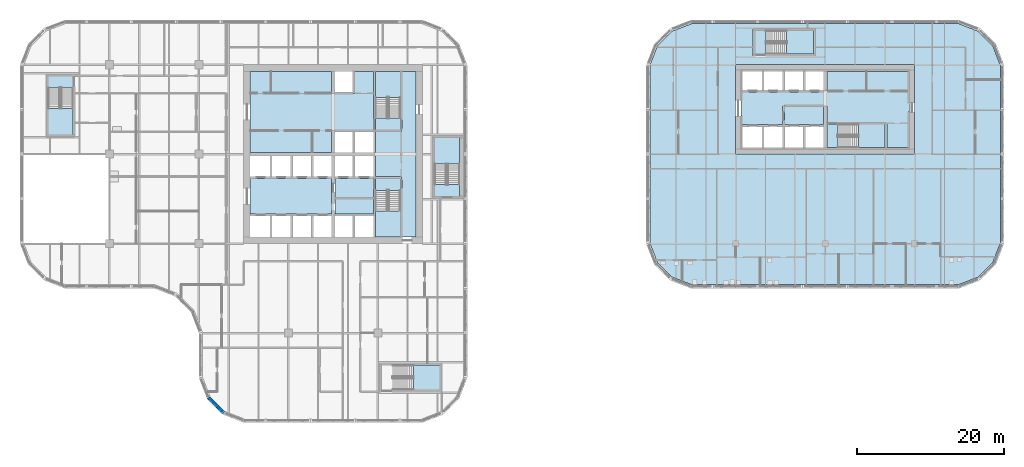
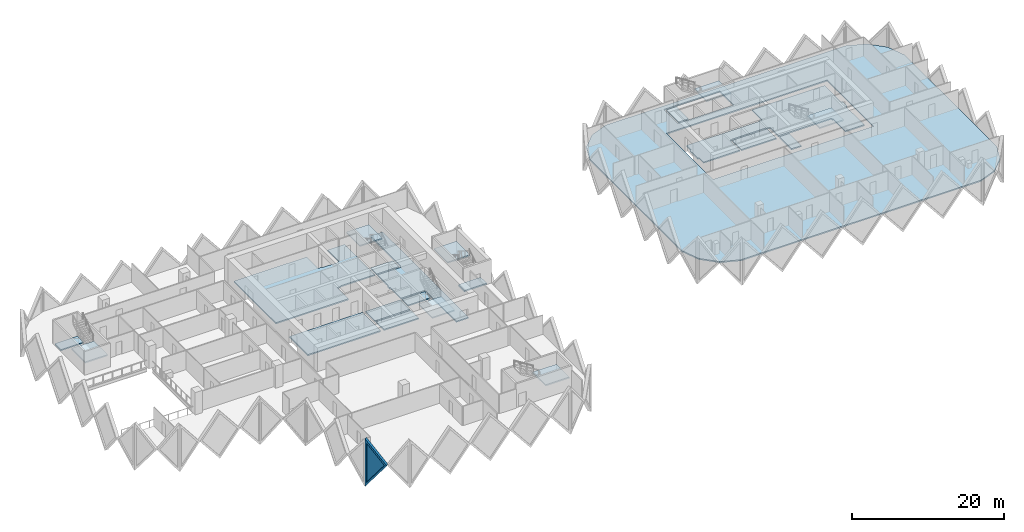
# One storey, part 3 of 20: 21 slabs, 1 plate, 1 wall, 1 opening, 7 elements without a shape of their own.
"""IFC4 building model written with IfcOpenShell, lengths in metres."""

from ifc_helpers import new_model, si_unit, direction, frame, origin, place, context, subcontext, project, spatial, polyline, outline, extrude, faceted_brep, source, transform, mapped, material, layer, layer_set, type_object, element, fill, aggregate, save


model = new_model("IFC4")

# Units and contexts
model_context = context("Model", 3, precision=1e-05, world=origin(), true_north=direction((0.0, 1.0)))
body_context = subcontext(model_context, "Body", "Model", "MODEL_VIEW")
ifc_project = project(units=[si_unit("LENGTHUNIT", "METRE"), si_unit("AREAUNIT", "SQUARE_METRE"), si_unit("VOLUMEUNIT", "CUBIC_METRE"), si_unit("PLANEANGLEUNIT", "RADIAN"), si_unit("MASSUNIT", "GRAM", prefix="KILO")], contexts=[model_context])

# Site, building, storey
site_placement = place(None, origin())
site = spatial("IfcSite", under=ifc_project, at=site_placement, CompositionType="ELEMENT")
building_placement = place(site_placement, origin())
building = spatial("IfcBuilding", under=site, at=building_placement, Name="Tessera Gate Towers", CompositionType="ELEMENT")
storey_placement = place(building_placement, frame((0.0, 0.0, 48.60009765625)))
storey = spatial("IfcBuildingStorey", under=building, at=storey_placement, Name="L11", CompositionType="ELEMENT", Elevation=48.60009765625)

# Slabs
ifc_material_1 = material(Name="Concrete C35/45", Category="concrete")
ifc_layer_1 = layer(ifc_material_1, 0.199951171875)
ifc_layer_set_1 = layer_set([ifc_layer_1], Name="COMPOSITE FLOOR 200")
slab_type_1 = type_object("IfcSlabType", Name="COMPOSITE FLOOR 200", PredefinedType="FLOOR", material=ifc_layer_set_1)
slab_1_placement = place(storey_placement, frame((0.0, 0.0, -0.2001953125)))
element("IfcSlab", 1, at=slab_1_placement, inside=storey, type_object=slab_type_1, Name="T2-L11", PredefinedType="FLOOR", context=body_context, shape_type="SweptSolid", body=[
    extrude(outline(polyline([(85.89990234375, 24.4931640625), (86.926025390625, 21.8330078125), (88.93310546875, 19.826171875), (91.593017578125, 18.800048828125), (128.0068359375, 18.800048828125), (130.6669921875, 19.826171875), (132.673828125, 21.8330078125), (133.699951171875, 24.4931640625), (133.699951171875, 48.706787109375), (132.673828125, 51.366943359375), (130.6669921875, 53.373779296875), (128.0068359375, 54.39990234375), (91.593017578125, 54.39990234375), (88.93310546875, 53.373779296875), (86.926025390625, 51.366943359375), (85.89990234375, 48.706787109375), (85.89990234375, 24.4931640625)]), holes=[polyline([(97.60009765625, 36.60009765625), (97.60009765625, 48.800048828125), (122.0, 48.800048828125), (122.0, 36.60009765625), (97.60009765625, 36.60009765625)]), polyline([(100.0, 50.0), (100.0, 53.699951171875), (108.5, 53.699951171875), (108.5, 50.0), (100.0, 50.0)])]), origin(), (0.0, 0.0, 1.0), 0.2001953125),
])
ifc_material_2 = material(Name="Concrete C35/45", Category="concrete")
ifc_layer_2 = layer(ifc_material_2, 0.199951171875)
ifc_layer_set_2 = layer_set([ifc_layer_2], Name="CORE FLOOR SLAB 200")
slab_type_2 = type_object("IfcSlabType", Name="CORE FLOOR SLAB 200", PredefinedType="FLOOR", material=ifc_layer_set_2)
slab_2_placement = place(storey_placement, frame((0.0, 0.0, -0.2001953125)))
element("IfcSlab", 2, at=slab_2_placement, inside=storey, type_object=slab_type_2, Name="L11 core floor slab", PredefinedType="FLOOR", context=body_context, shape_type="SweptSolid", body=[
    extrude(outline(polyline([(31.39990234375, 47.89990234375), (31.39990234375, 36.85009765625), (42.449951171875, 36.85009765625), (42.449951171875, 39.800048828125), (42.949951171875, 39.800048828125), (42.949951171875, 39.925048828125), (48.22509765625, 39.925048828125), (48.22509765625, 47.89990234375), (45.64990234375, 47.89990234375), (45.64990234375, 44.89990234375), (45.39990234375, 44.89990234375), (45.39990234375, 44.77490234375), (42.949951171875, 44.77490234375), (42.949951171875, 44.89990234375), (42.449951171875, 44.89990234375), (42.449951171875, 47.89990234375), (31.39990234375, 47.89990234375)])), origin(), (0.0, 0.0, 1.0), 0.2001953125),
])
slab_3_placement = place(storey_placement, frame((0.0, 0.0, -0.2001953125)))
element("IfcSlab", 3, at=slab_3_placement, inside=storey, type_object=slab_type_2, Name="L11 core floor slab", PredefinedType="FLOOR", context=body_context, shape_type="SweptSolid", body=[
    extrude(outline(polyline([(48.35009765625, 36.85009765625), (48.35009765625, 36.35009765625), (48.47509765625, 36.35009765625), (48.47509765625, 33.52490234375), (52.0, 33.52490234375), (52.0, 33.27490234375), (52.125, 33.27490234375), (52.125, 25.300048828125), (54.0, 25.300048828125), (54.0, 47.89990234375), (52.125, 47.89990234375), (52.125, 39.925048828125), (52.0, 39.925048828125), (52.0, 39.675048828125), (48.47509765625, 39.675048828125), (48.47509765625, 36.85009765625), (48.35009765625, 36.85009765625)])), origin(), (0.0, 0.0, 1.0), 0.2001953125),
])
slab_4_placement = place(storey_placement, frame((0.0, 0.0, -0.2001953125)))
element("IfcSlab", 4, at=slab_4_placement, inside=storey, type_object=slab_type_2, Name="L11 core floor slab", PredefinedType="FLOOR", context=body_context, shape_type="SweptSolid", body=[
    extrude(outline(polyline([(42.449951171875, 28.425048828125), (42.449951171875, 33.27490234375), (31.39990234375, 33.27490234375), (31.39990234375, 28.425048828125), (42.449951171875, 28.425048828125)])), origin(), (0.0, 0.0, 1.0), 0.2001953125),
])
slab_5_placement = place(storey_placement, frame((0.0, 0.0, -0.2001953125)))
element("IfcSlab", 5, at=slab_5_placement, inside=storey, type_object=slab_type_2, Name="L11 core floor slab", PredefinedType="FLOOR", context=body_context, shape_type="SweptSolid", body=[
    extrude(outline(polyline([(42.949951171875, 33.27490234375), (42.949951171875, 30.72509765625), (48.22509765625, 30.72509765625), (48.22509765625, 33.27490234375), (42.949951171875, 33.27490234375)])), origin(), (0.0, 0.0, 1.0), 0.2001953125),
])
slab_6_placement = place(storey_placement, frame((0.0, 0.0, -0.2001953125)))
element("IfcSlab", 6, at=slab_6_placement, inside=storey, type_object=slab_type_2, Name="L11 core floor slab", PredefinedType="FLOOR", context=body_context, shape_type="SweptSolid", body=[
    extrude(outline(polyline([(42.949951171875, 30.47509765625), (42.949951171875, 28.425048828125), (48.22509765625, 28.425048828125), (48.22509765625, 30.47509765625), (42.949951171875, 30.47509765625)])), origin(), (0.0, 0.0, 1.0), 0.2001953125),
])
slab_7_placement = place(storey_placement, frame((0.0, 0.0, -0.2001953125)))
element("IfcSlab", 7, at=slab_7_placement, inside=storey, type_object=slab_type_2, Name="L11 core floor slab", PredefinedType="FLOOR", context=body_context, shape_type="SweptSolid", body=[
    extrude(outline(polyline([(51.875, 31.675048828125), (51.875, 33.27490234375), (48.47509765625, 33.27490234375), (48.47509765625, 31.675048828125), (51.875, 31.675048828125)])), origin(), (0.0, 0.0, 1.0), 0.2001953125),
])
slab_8_placement = place(storey_placement, frame((0.0, 0.0, -0.2001953125)))
element("IfcSlab", 8, at=slab_8_placement, inside=storey, type_object=slab_type_2, Name="L11 core floor slab", PredefinedType="FLOOR", context=body_context, shape_type="SweptSolid", body=[
    extrude(outline(polyline([(48.47509765625, 41.52490234375), (48.47509765625, 39.925048828125), (51.875, 39.925048828125), (51.875, 41.52490234375), (48.47509765625, 41.52490234375)])), origin(), (0.0, 0.0, 1.0), 0.2001953125),
])
slab_9_placement = place(storey_placement, frame((0.0, 0.0, -0.2001953125)))
element("IfcSlab", 9, at=slab_9_placement, inside=storey, type_object=slab_type_2, Name="L11 ST3 floor landing", PredefinedType="FLOOR", context=body_context, shape_type="SweptSolid", body=[
    extrude(outline(polyline([(3.85009765625, 47.25), (3.85009765625, 45.64990234375), (7.25, 45.64990234375), (7.25, 47.25), (3.85009765625, 47.25)])), origin(), (0.0, 0.0, 1.0), 0.2001953125),
])
slab_10_placement = place(storey_placement, frame((0.0, 0.0, -0.2001953125)))
element("IfcSlab", 10, at=slab_10_placement, inside=storey, type_object=slab_type_2, Name="L11 ST5 floor landing", PredefinedType="FLOOR", context=body_context, shape_type="SweptSolid", body=[
    extrude(outline(polyline([(59.949951171875, 30.85009765625), (59.949951171875, 32.449951171875), (56.550048828125, 32.449951171875), (56.550048828125, 30.85009765625), (59.949951171875, 30.85009765625)])), origin(), (0.0, 0.0, 1.0), 0.2001953125),
])
slab_11_placement = place(storey_placement, frame((0.0, 0.0, -0.2001953125)))
element("IfcSlab", 11, at=slab_11_placement, inside=storey, type_object=slab_type_2, Name="L11 core floor slab", PredefinedType="FLOOR", context=body_context, shape_type="SweptSolid", body=[
    extrude(outline(polyline([(109.550048828125, 45.199951171875), (109.550048828125, 45.074951171875), (98.5, 45.074951171875), (98.5, 43.89990234375), (98.300048828125, 43.89990234375), (98.300048828125, 41.800048828125), (98.5, 41.800048828125), (98.5, 40.625), (104.02490234375, 40.625), (104.02490234375, 43.199951171875), (104.27490234375, 43.199951171875), (104.27490234375, 43.324951171875), (109.550048828125, 43.324951171875), (109.550048828125, 43.199951171875), (110.050048828125, 43.199951171875), (110.050048828125, 40.949951171875), (118.10009765625, 40.949951171875), (118.10009765625, 40.699951171875), (118.22509765625, 40.699951171875), (118.22509765625, 37.5), (121.10009765625, 37.5), (121.10009765625, 42.35009765625), (121.300048828125, 42.35009765625), (121.300048828125, 43.550048828125), (121.10009765625, 43.550048828125), (121.10009765625, 47.89990234375), (110.050048828125, 47.89990234375), (110.050048828125, 45.199951171875), (109.550048828125, 45.199951171875)])), origin(), (0.0, 0.0, 1.0), 0.2001953125),
])
slab_12_placement = place(storey_placement, frame((0.0, 0.0, -0.2001953125)))
element("IfcSlab", 12, at=slab_12_placement, inside=storey, type_object=slab_type_2, Name="L11 core floor slab", PredefinedType="FLOOR", context=body_context, shape_type="SweptSolid", body=[
    extrude(outline(polyline([(109.550048828125, 43.074951171875), (104.27490234375, 43.074951171875), (104.27490234375, 40.625), (109.550048828125, 40.625), (109.550048828125, 43.074951171875)])), origin(), (0.0, 0.0, 1.0), 0.2001953125),
])
slab_13_placement = place(storey_placement, frame((0.0, 0.0, -0.2001953125)))
element("IfcSlab", 13, at=slab_13_placement, inside=storey, type_object=slab_type_2, Name="L11 core floor slab", PredefinedType="FLOOR", context=body_context, shape_type="SweptSolid", body=[
    extrude(outline(polyline([(111.550048828125, 37.5), (111.550048828125, 40.699951171875), (110.050048828125, 40.699951171875), (110.050048828125, 37.5), (111.550048828125, 37.5)])), origin(), (0.0, 0.0, 1.0), 0.2001953125),
])
slab_14_placement = place(storey_placement, frame((0.0, 0.0, -0.2001953125)))
element("IfcSlab", 14, at=slab_14_placement, inside=storey, type_object=slab_type_2, Name="L11 ST7 floor landing", PredefinedType="FLOOR", context=body_context, shape_type="SweptSolid", body=[
    extrude(outline(polyline([(100.25, 50.25), (101.75, 50.25), (101.75, 53.449951171875), (100.25, 53.449951171875), (100.25, 50.25)])), origin(), (0.0, 0.0, 1.0), 0.2001953125),
])

# Stair, slab
ifc_material_3 = material(Name="Concrete C40/50", Category="concrete")
stair_type_1 = type_object("IfcStairType", Name="EXIT STAIR ST1 1600", PredefinedType="HALF_TURN_STAIR", material=ifc_material_3)
stair_1_placement = place(storey_placement, origin())
stair_1 = element("IfcStair", 15, at=stair_1_placement, inside=storey, type_object=stair_type_1, Name="L11 Protected Exit Stair ST1", PredefinedType="HALF_TURN_STAIR")
ifc_material_4 = material(Name="Concrete C40/50", Category="concrete")
ifc_layer_3 = layer(ifc_material_4, 0.199951171875)
ifc_layer_set_3 = layer_set([ifc_layer_3], Name="EXIT STAIR LANDING 200")
slab_type_3 = type_object("IfcSlabType", Name="EXIT STAIR LANDING 200", PredefinedType="LANDING", material=ifc_layer_set_3)
slab_15_placement = place(storey_placement, frame((0.0, 0.0, 1.699951171875)))
slab_15 = element("IfcSlab", 16, at=slab_15_placement, type_object=slab_type_3, Name="ST1 landing 1", PredefinedType="LANDING", context=body_context, shape_type="SweptSolid", body=[
    extrude(outline(polyline([(48.47509765625, 28.875), (48.47509765625, 25.300048828125), (51.875, 25.300048828125), (51.875, 28.875), (48.47509765625, 28.875)])), origin(), (0.0, 0.0, 1.0), 0.199951171875),
])
aggregate(stair_1, [slab_15])

ifc_material_5 = material(Name="Concrete C40/50", Category="concrete")
stair_type_2 = type_object("IfcStairType", Name="EXIT STAIR ST2 1600", PredefinedType="HALF_TURN_STAIR", material=ifc_material_5)
stair_2_placement = place(storey_placement, origin())
stair_2 = element("IfcStair", 17, at=stair_2_placement, inside=storey, type_object=stair_type_2, Name="L11 Protected Exit Stair ST2", PredefinedType="HALF_TURN_STAIR")
slab_16_placement = place(storey_placement, frame((0.0, 0.0, 1.699951171875)))
slab_16 = element("IfcSlab", 18, at=slab_16_placement, type_object=slab_type_3, Name="ST2 landing 1", PredefinedType="LANDING", context=body_context, shape_type="SweptSolid", body=[
    extrude(outline(polyline([(51.875, 44.324951171875), (51.875, 47.89990234375), (48.47509765625, 47.89990234375), (48.47509765625, 44.324951171875), (51.875, 44.324951171875)])), origin(), (0.0, 0.0, 1.0), 0.199951171875),
])
aggregate(stair_2, [slab_16])

ifc_material_6 = material(Name="Concrete C40/50", Category="concrete")
stair_type_3 = type_object("IfcStairType", Name="EXIT STAIR ST3 1600", PredefinedType="HALF_TURN_STAIR", material=ifc_material_6)
stair_3_placement = place(storey_placement, origin())
stair_3 = element("IfcStair", 19, at=stair_3_placement, inside=storey, type_object=stair_type_3, Name="L11 West Exit Stair ST3", PredefinedType="HALF_TURN_STAIR")
slab_17_placement = place(storey_placement, frame((0.0, 0.0, 1.699951171875)))
slab_17 = element("IfcSlab", 20, at=slab_17_placement, type_object=slab_type_3, Name="ST3 landing 1", PredefinedType="LANDING", context=body_context, shape_type="SweptSolid", body=[
    extrude(outline(polyline([(3.85009765625, 42.85009765625), (3.85009765625, 39.25), (7.25, 39.25), (7.25, 42.85009765625), (3.85009765625, 42.85009765625)])), origin(), (0.0, 0.0, 1.0), 0.199951171875),
])
aggregate(stair_3, [slab_17])

ifc_material_7 = material(Name="Concrete C40/50", Category="concrete")
stair_type_4 = type_object("IfcStairType", Name="EXIT STAIR ST4 1600", PredefinedType="HALF_TURN_STAIR", material=ifc_material_7)
stair_4_placement = place(storey_placement, origin())
stair_4 = element("IfcStair", 21, at=stair_4_placement, inside=storey, type_object=stair_type_4, Name="L11 South Exit Stair ST4", PredefinedType="HALF_TURN_STAIR")
slab_18_placement = place(storey_placement, frame((0.0, 0.0, 1.699951171875)))
slab_18 = element("IfcSlab", 22, at=slab_18_placement, type_object=slab_type_3, Name="ST4 landing 1", PredefinedType="LANDING", context=body_context, shape_type="SweptSolid", body=[
    extrude(outline(polyline([(53.64990234375, 4.449951171875), (57.25, 4.449951171875), (57.25, 7.85009765625), (53.64990234375, 7.85009765625), (53.64990234375, 4.449951171875)])), origin(), (0.0, 0.0, 1.0), 0.199951171875),
])
aggregate(stair_4, [slab_18])

ifc_material_8 = material(Name="Concrete C40/50", Category="concrete")
stair_type_5 = type_object("IfcStairType", Name="EXIT STAIR ST5 1600", PredefinedType="HALF_TURN_STAIR", material=ifc_material_8)
stair_5_placement = place(storey_placement, origin())
stair_5 = element("IfcStair", 23, at=stair_5_placement, inside=storey, type_object=stair_type_5, Name="L11 East Exit Stair ST5", PredefinedType="HALF_TURN_STAIR")
slab_19_placement = place(storey_placement, frame((0.0, 0.0, 1.699951171875)))
slab_19 = element("IfcSlab", 24, at=slab_19_placement, type_object=slab_type_3, Name="ST5 landing 1", PredefinedType="LANDING", context=body_context, shape_type="SweptSolid", body=[
    extrude(outline(polyline([(59.949951171875, 35.25), (59.949951171875, 38.85009765625), (56.550048828125, 38.85009765625), (56.550048828125, 35.25), (59.949951171875, 35.25)])), origin(), (0.0, 0.0, 1.0), 0.199951171875),
])
aggregate(stair_5, [slab_19])

ifc_material_9 = material(Name="Concrete C40/50", Category="concrete")
stair_type_6 = type_object("IfcStairType", Name="EXIT STAIR ST6 1500", PredefinedType="HALF_TURN_STAIR", material=ifc_material_9)
stair_6_placement = place(storey_placement, origin())
stair_6 = element("IfcStair", 25, at=stair_6_placement, inside=storey, type_object=stair_type_6, Name="L11 Protected Exit Stair ST6", PredefinedType="HALF_TURN_STAIR")
slab_20_placement = place(storey_placement, frame((0.0, 0.0, 1.699951171875)))
slab_20 = element("IfcSlab", 26, at=slab_20_placement, type_object=slab_type_3, Name="ST6 landing 1", PredefinedType="LANDING", context=body_context, shape_type="SweptSolid", body=[
    extrude(outline(polyline([(114.35009765625, 37.5), (117.97509765625, 37.5), (117.97509765625, 40.699951171875), (114.35009765625, 40.699951171875), (114.35009765625, 37.5)])), origin(), (0.0, 0.0, 1.0), 0.199951171875),
])
aggregate(stair_6, [slab_20])

ifc_material_10 = material(Name="Concrete C40/50", Category="concrete")
stair_type_7 = type_object("IfcStairType", Name="EXIT STAIR ST7 1500", PredefinedType="HALF_TURN_STAIR", material=ifc_material_10)
stair_7_placement = place(storey_placement, origin())
stair_7 = element("IfcStair", 27, at=stair_7_placement, inside=storey, type_object=stair_type_7, Name="L11 North Exit Stair ST7", PredefinedType="HALF_TURN_STAIR")
slab_21_placement = place(storey_placement, frame((0.0, 0.0, 1.699951171875)))
slab_21 = element("IfcSlab", 28, at=slab_21_placement, type_object=slab_type_3, Name="ST7 landing 1", PredefinedType="LANDING", context=body_context, shape_type="SweptSolid", body=[
    extrude(outline(polyline([(104.550048828125, 50.25), (108.25, 50.25), (108.25, 53.449951171875), (104.550048828125, 53.449951171875), (104.550048828125, 50.25)])), origin(), (0.0, 0.0, 1.0), 0.199951171875),
])
aggregate(stair_7, [slab_21])

# Wall, opening, plate
ifc_material_11 = material(Name="Precast concrete C60/75 white", Category="concrete")
ifc_layer_4 = layer(ifc_material_11, 0.5)
ifc_layer_set_4 = layer_set([ifc_layer_4], Name="TS3 corner tessera")
wall_type = type_object("IfcWallType", Name="TS3 corner tessera", PredefinedType="SOLIDWALL", material=ifc_layer_set_4)
shared_shape_1 = source(origin(), body_context, "Body", "Brep", [
    faceted_brep([(0.052978515625, -0.25, 0.0), (2.9970703125, -0.25, 3.800048828125), (0.052978515625, -0.25, 7.599853515625), (0.0, -0.25, 7.53173828125), (0.0, -0.25, 0.068115234375), (0.10595703125, 0.25, 7.531494140625), (2.944091796875, 0.25, 3.8681640625), (2.944091796875, 0.25, 3.73193359375), (0.10595703125, 0.25, 0.068359375), (2.9970703125, 0.000244140625, 3.800048828125), (0.052978515625, 0.0, 0.0), (0.052978515625, 0.0, 7.599853515625)], [[[0, 1, 2, 3, 4]], [[5, 6, 7, 8]], [[8, 7, 9, 1, 0, 10]], [[6, 5, 11, 2, 1, 9]], [[3, 2, 11]], [[10, 0, 4]], [[8, 10, 4, 3, 11, 5]], [[7, 6, 9]]]),
])
wall_placement = place(storey_placement, frame((25.674560546875, 3.43115234375, -3.800048828125), z_axis=(0.0, 0.0, 1.0), x_axis=(0.707106781187, -0.707106781187, 0.0)))
wall = element("IfcWall", 29, at=wall_placement, inside=storey, type_object=wall_type, Name="Precast corner tessera T1 TS3-0240", PredefinedType="SOLIDWALL", context=body_context, shape_type="MappedRepresentation", body=[
    mapped(shared_shape_1, transform((0.0, 0.0, 0.0), scale=1.0)),
])
shared_shape_2 = source(origin(), body_context, "Body", "SweptSolid", [
    extrude(outline(polyline([(0.2529296875, 0.666259765625), (2.680908203125, 3.800048828125), (0.2529296875, 6.93359375), (0.2529296875, 0.666259765625)])), frame((0.0, 0.260009765625, 0.0), z_axis=(0.0, -1.0, 0.0), x_axis=(1.0, 0.0, 0.0)), (0.0, 0.0, 1.0), 0.52001953125),
])
opening_placement = place(wall_placement, origin())
opening = element("IfcOpeningElement", 30, at=opening_placement, cuts=wall, Name="Opening T1-PL2-0328", PredefinedType="OPENING", context=body_context, shape_type="MappedRepresentation", body=[
    mapped(shared_shape_2, transform((0.0, 0.0, 0.0), scale=1.0)),
])
ifc_material_12 = material(Name="Low-e laminated glass", Category="glass")
ifc_layer_5 = layer(ifc_material_12, 0.06005859375)
ifc_layer_set_5 = layer_set([ifc_layer_5], Name="PL2 rhombic pane")
plate_type = type_object("IfcPlateType", Name="PL2 rhombic pane", PredefinedType="SHEET", material=ifc_layer_set_5)
shared_shape_3 = source(origin(), body_context, "Body", "SweptSolid", [
    extrude(outline(polyline([(0.2529296875, 0.666259765625), (2.680908203125, 3.800048828125), (0.2529296875, 6.93359375), (0.2529296875, 0.666259765625)])), frame((0.0, 0.030029296875, 0.0), z_axis=(0.0, -1.0, 0.0), x_axis=(1.0, 0.0, 0.0)), (0.0, 0.0, 1.0), 0.06005859375),
])
plate_placement = place(opening_placement, origin())
plate = element("IfcPlate", 31, at=plate_placement, inside=storey, type_object=plate_type, Name="Glass pane T1 PL2-0328", PredefinedType="SHEET", context=body_context, shape_type="MappedRepresentation", body=[
    mapped(shared_shape_3, transform((0.0, 0.0, 0.0), scale=1.0)),
])
fill(opening, plate)

save(model, "model.ifc")
